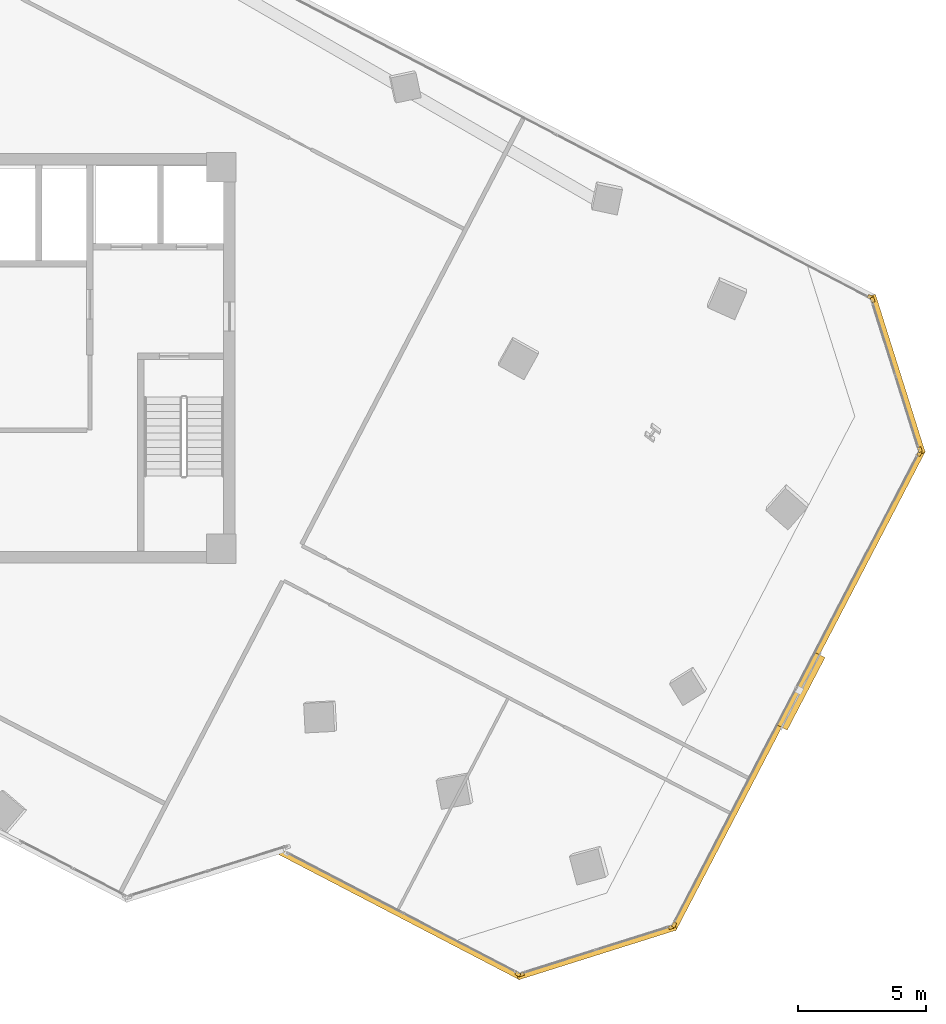
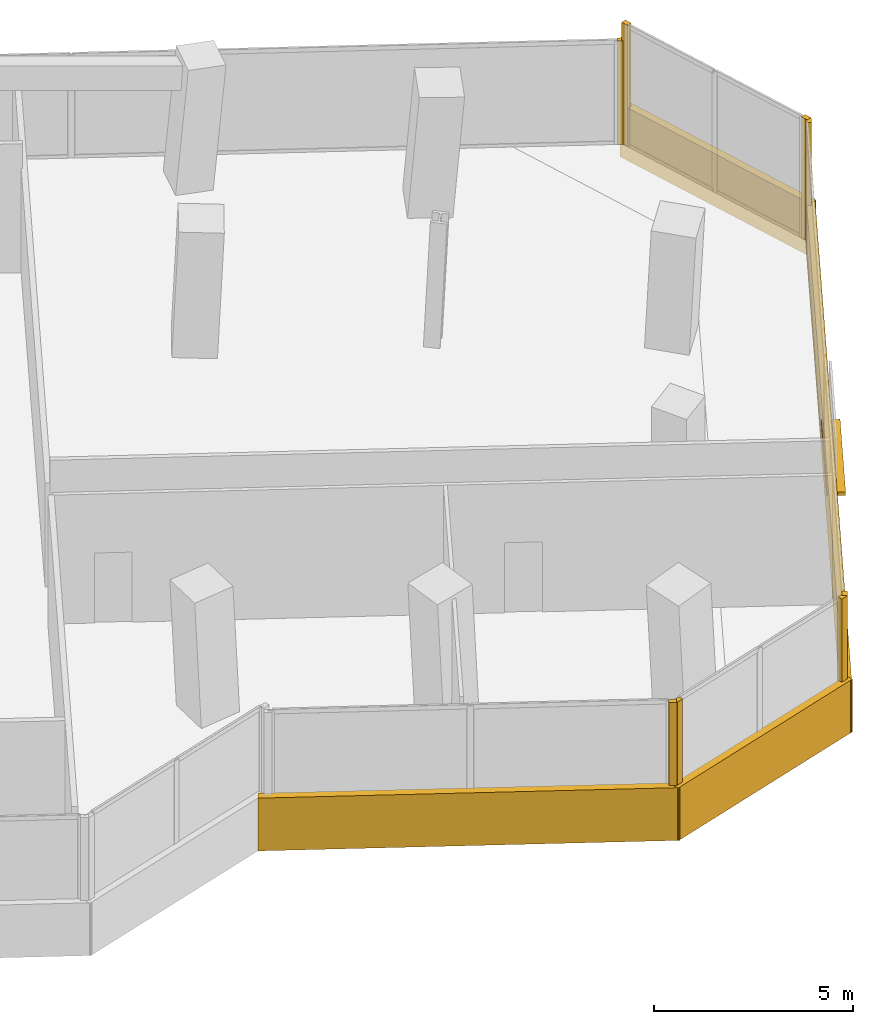
# One storey, part 21 of 22: 12 coverings, 1 shading device.
"""IFC4 building model written with IfcOpenShell, lengths in metres."""

from ifc_helpers import new_model, si_unit, direction, frame, origin, origin_2d, place, context, subcontext, project, spatial, rectangle, extrude, source, transform, mapped, material, layer, layer_set, type_object, element, save


model = new_model("IFC4")

# Units and contexts
model_context = context("Model", 3, precision=1e-05, world=origin(), true_north=direction((0.0, 1.0)))
body_context = subcontext(model_context, "Body", "Model", "MODEL_VIEW")
ifc_project = project(units=[si_unit("LENGTHUNIT", "METRE"), si_unit("AREAUNIT", "SQUARE_METRE"), si_unit("VOLUMEUNIT", "CUBIC_METRE"), si_unit("PLANEANGLEUNIT", "RADIAN"), si_unit("MASSUNIT", "GRAM", prefix="KILO")], contexts=[model_context])

# Site, building, storey
site_placement = place(None, origin())
site = spatial("IfcSite", under=ifc_project, at=site_placement, CompositionType="ELEMENT")
building_placement = place(site_placement, origin())
building = spatial("IfcBuilding", under=site, at=building_placement, Name="Torre Montelarca", CompositionType="ELEMENT")
storey_placement = place(building_placement, frame((0.0, 0.0, 175.0)))
storey = spatial("IfcBuildingStorey", under=building, at=storey_placement, Name="L39", CompositionType="ELEMENT", Elevation=175.0)

# Coverings
ifc_material_1 = material(Name="Bush-hammered warm white precast concrete C45/55", Category="concrete")
ifc_layer_1 = layer(ifc_material_1, 0.139892578125, Name="Bush-hammered warm white precast concrete C45/55", Category="concrete")
ifc_layer_set_1 = layer_set([ifc_layer_1], Name="Bush-hammered warm white precast concrete C45/55")
covering_type = type_object("IfcCoveringType", Name="COV-TRAY-CLAD", PredefinedType="CLADDING", material=ifc_layer_set_1)
shared_shape_1 = source(origin(), body_context, "Body", "SweptSolid", [
    extrude(rectangle(XDim=6.48388671875, YDim=0.219970703125, at=origin_2d()), origin(), (0.0, 0.0, 1.0), 1.6201171875),
])
for number, where, z_axis, x_axis, name in (
    (1, (41.127197265625, 8.785400390625, -0.449951171875), (0.0, 0.0, 1.0), (0.953721674106, 0.300690818516, 0.0), "L39 Architectural White Spandrel Tray Band TRYBOT-05"),
    (2, (52.882080078125, 31.36669921875, -0.449951171875), (0.0, 0.0, 1.0), (-0.300709128603, 0.953715901081, 0.0), "L39 Architectural White Spandrel Tray Band TRYBOT-07"),
):
    element("IfcCovering", number, at=place(storey_placement, frame(where, z_axis=z_axis, x_axis=x_axis)), inside=storey, type_object=covering_type, Name=name, PredefinedType="CLADDING", context=body_context, shape_type="MappedRepresentation", body=[
        mapped(shared_shape_1, transform((0.0, 0.0, 0.0), scale=1.0)),
    ])
shared_shape_2 = source(origin(), body_context, "Body", "SweptSolid", [
    extrude(rectangle(XDim=21.1201171875, YDim=0.219970703125, at=origin_2d()), origin(), (0.0, 0.0, 1.0), 1.6201171875),
])
covering_1_placement = place(storey_placement, frame((48.99267578125, 19.041015625, -0.449951171875), z_axis=(0.0, 0.0, 1.0), x_axis=(0.461747065108, 0.88701163908, 0.0)))
element("IfcCovering", 3, at=covering_1_placement, inside=storey, type_object=covering_type, Name="L39 Architectural White Spandrel Tray Band TRYBOT-06", PredefinedType="CLADDING", context=body_context, shape_type="MappedRepresentation", body=[
    mapped(shared_shape_2, transform((0.0, 0.0, 0.0), scale=1.0)),
])

# Shading device
ifc_material_2 = material(Name="Anodised champagne bronze aluminium AA 6063-T6", Category="aluminium")
ifc_layer_2 = layer(ifc_material_2, 0.070068359375, Name="Anodised champagne bronze aluminium AA 6063-T6", Category="aluminium")
ifc_layer_set_2 = layer_set([ifc_layer_2], Name="Anodised champagne bronze aluminium AA 6063-T6")
shading_device_type = type_object("IfcShadingDeviceType", Name="SHD-SUNSHADE-1", PredefinedType="USERDEFINED", material=ifc_layer_set_2)
shared_shape_3 = source(origin(), body_context, "Body", "SweptSolid", [
    extrude(rectangle(XDim=3.199951171875, YDim=0.47998046875, at=origin_2d()), origin(), (0.0, 0.0, 1.0), 0.10009765625),
])
shading_device_placement = place(storey_placement, frame((49.090087890625, 18.990234375, 0.570068359375), z_axis=(0.0, 0.0, 1.0), x_axis=(0.461747065108, 0.88701163908, 0.0)))
element("IfcShadingDevice", 4, at=shading_device_placement, inside=storey, type_object=shading_device_type, Name="L39 Facade Solar Shading Device E6", ObjectType="SUNSHADE", PredefinedType="USERDEFINED", context=body_context, shape_type="MappedRepresentation", body=[
    mapped(shared_shape_3, transform((0.0, 0.0, 0.0), scale=1.0)),
])

# Coverings
shared_shape_4 = source(origin(), body_context, "Body", "SweptSolid", [
    extrude(rectangle(XDim=0.199951171875, YDim=0.139892578125, at=origin_2d()), origin(), (0.0, 0.0, 1.0), 3.719970703125),
])
for number, where, z_axis, x_axis, name in (
    (5, (38.040283203125, 7.933349609375, 0.0), (0.0, 0.0, 1.0), (0.88701163908, -0.461747065108, 0.0), "L39 Architectural Column Pier Cladding E04-2"),
    (6, (38.184814453125, 7.920654296875, 0.0), (0.0, 0.0, 1.0), (0.953723248507, 0.300685824837, 0.0), "L39 Architectural Column Pier Cladding E05-1"),
    (7, (44.033447265625, 9.7646484375, 0.0), (0.0, 0.0, 1.0), (0.953723248507, 0.300685824837, 0.0), "L39 Architectural Column Pier Cladding E05-2"),
    (8, (44.14453125, 9.85791015625, 0.0), (0.0, 0.0, 1.0), (0.461743968851, 0.887013250876, 0.0), "L39 Architectural Column Pier Cladding E06-1"),
    (9, (53.734375, 28.27978515625, 0.0), (0.0, 0.0, 1.0), (0.461743968851, 0.887013250876, 0.0), "L39 Architectural Column Pier Cladding E06-2"),
    (10, (53.746826171875, 28.42431640625, 0.0), (0.0, 0.0, 1.0), (-0.300705799504, 0.953716950748, 0.0), "L39 Architectural Column Pier Cladding E07-1"),
    (11, (51.90283203125, 34.272705078125, 0.0), (0.0, 0.0, 1.0), (-0.300705799504, 0.953716950748, 0.0), "L39 Architectural Column Pier Cladding E07-2"),
):
    element("IfcCovering", number, at=place(storey_placement, frame(where, z_axis=z_axis, x_axis=x_axis)), inside=storey, type_object=covering_type, Name=name, PredefinedType="CLADDING", context=body_context, shape_type="MappedRepresentation", body=[
        mapped(shared_shape_4, transform((0.0, 0.0, 0.0), scale=1.0)),
    ])
shared_shape_5 = source(origin(), body_context, "Body", "SweptSolid", [
    extrude(rectangle(XDim=0.199951171875, YDim=0.139892578125, at=origin_2d()), origin(), (0.0, 0.0, 1.0), 3.175048828125),
])
covering_2_placement = place(storey_placement, frame((51.8095703125, 34.384033203125, 0.0), z_axis=(0.0, 0.0, 1.0), x_axis=(-0.887010833178, 0.461748613235, 0.0)))
element("IfcCovering", 12, at=covering_2_placement, inside=storey, type_object=covering_type, Name="L39 Architectural Column Pier Cladding E08-1", PredefinedType="CLADDING", context=body_context, shape_type="MappedRepresentation", body=[
    mapped(shared_shape_5, transform((0.0, 0.0, 0.0), scale=1.0)),
])
shared_shape_6 = source(origin(), body_context, "Body", "SweptSolid", [
    extrude(rectangle(XDim=10.6201171875, YDim=0.219970703125, at=origin_2d()), origin(), (0.0, 0.0, 1.0), 1.6201171875),
])
covering_3_placement = place(storey_placement, frame((33.45849609375, 10.250732421875, -0.449951171875), z_axis=(0.0, 0.0, 1.0), x_axis=(0.887013250876, -0.461743968851, 0.0)))
element("IfcCovering", 13, at=covering_3_placement, inside=storey, type_object=covering_type, Name="L39 Architectural White Spandrel Tray Band TRYBOT-04", PredefinedType="CLADDING", context=body_context, shape_type="MappedRepresentation", body=[
    mapped(shared_shape_6, transform((0.0, 0.0, 0.0), scale=1.0)),
])

save(model, "model.ifc")
